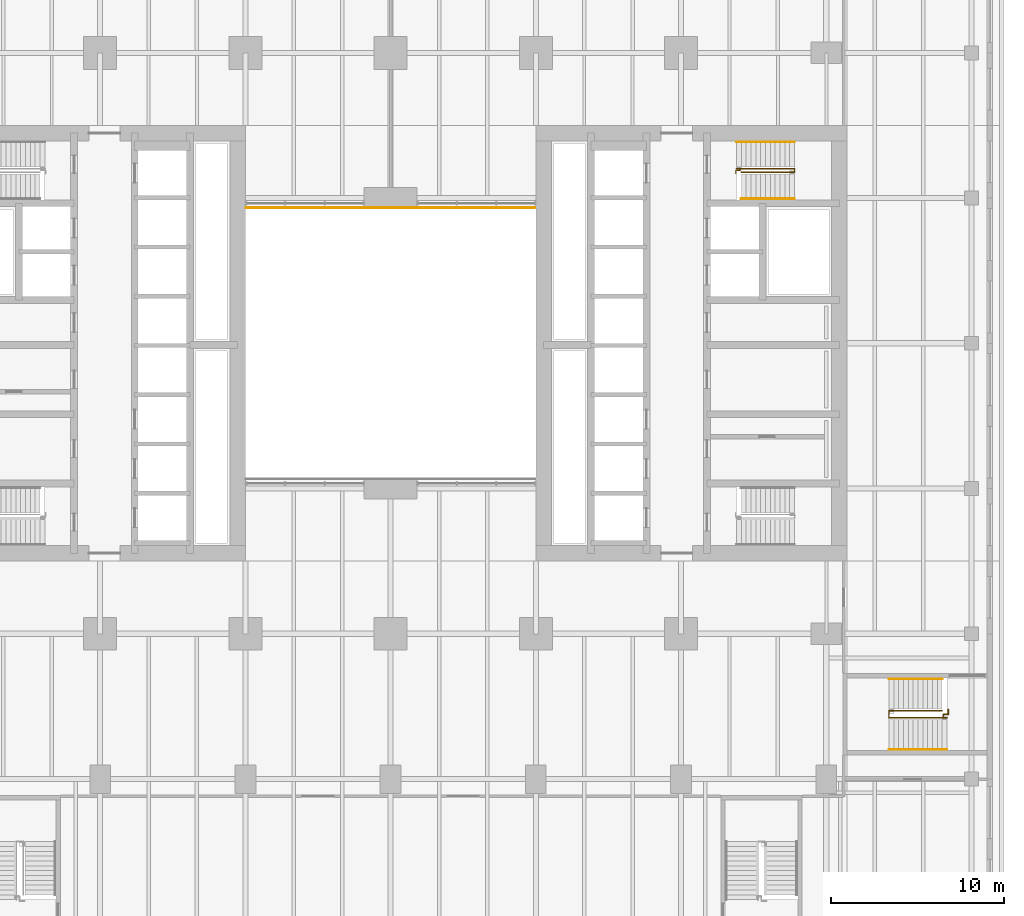
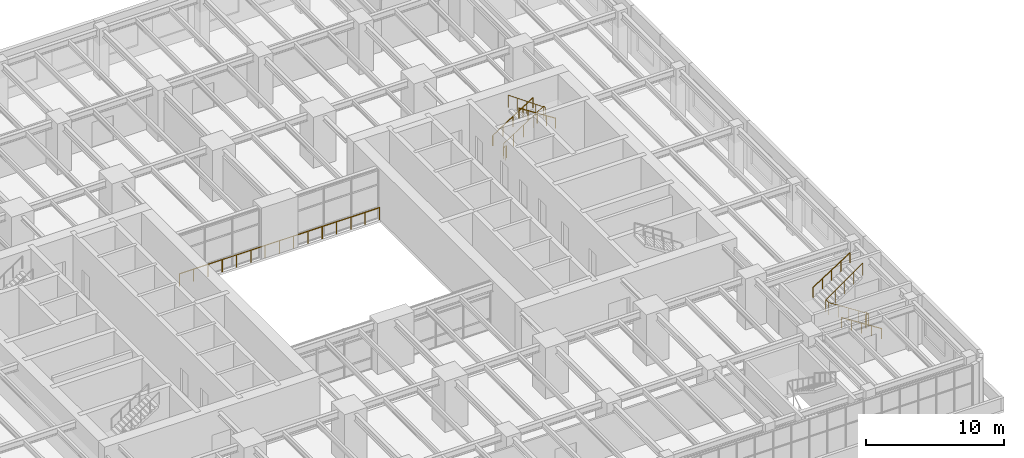
# One storey, part 26 of 30: 9 railings.
"""IFC4 building model written with IfcOpenShell, lengths in metres."""

from ifc_helpers import new_model, si_unit, direction, frame, origin, origin_2d, place, context, subcontext, project, spatial, circle, extrude, material, type_object, element, save


model = new_model("IFC4")

# Units and contexts
model_context = context("Model", 3, precision=1e-05, world=origin(), true_north=direction((0.0, 1.0)))
body_context = subcontext(model_context, "Body", "Model", "MODEL_VIEW")
ifc_project = project(units=[si_unit("LENGTHUNIT", "METRE"), si_unit("AREAUNIT", "SQUARE_METRE"), si_unit("VOLUMEUNIT", "CUBIC_METRE"), si_unit("PLANEANGLEUNIT", "RADIAN"), si_unit("MASSUNIT", "GRAM", prefix="KILO")], contexts=[model_context])

# Site, building, storey
site_placement = place(None, origin())
site = spatial("IfcSite", under=ifc_project, at=site_placement, CompositionType="ELEMENT")
building_placement = place(site_placement, origin())
building = spatial("IfcBuilding", under=site, at=building_placement, Name="Claustro Exchange Tower", CompositionType="ELEMENT")
storey_placement = place(building_placement, frame((0.0, 0.0, 5.39990234375)))
storey = spatial("IfcBuildingStorey", under=building, at=storey_placement, Name="L01", CompositionType="ELEMENT", Elevation=5.39990234375)

# Railings
ifc_material_1 = material(Name="Laminated glass, stainless steel rail", Category="steel")
railing_type_1 = type_object("IfcRailingType", Name="GR1 1100 glass balustrade guard", PredefinedType="BALUSTRADE", material=ifc_material_1)
railing_1_placement = place(storey_placement, frame((16.85009765625, 33.050048828125, 0.0)))
element("IfcRailing", 1, at=railing_1_placement, inside=storey, type_object=railing_type_1, Name="Atrium guard GR1 L01", PredefinedType="BALUSTRADE", context=body_context, shape_type="SweptSolid", body=[
    extrude(circle(Radius=0.02392578125, at=origin_2d()), frame((0.0, 0.0, 1.076171875), z_axis=(1.0, 0.0, 0.0), x_axis=(0.0, 1.0, 0.0)), (0.0, 0.0, 1.0), 16.699951171875),
    extrude(circle(Radius=0.02099609375, at=origin_2d()), origin(), (0.0, 0.0, 1.0), 1.052001953125),
    extrude(circle(Radius=0.02099609375, at=origin_2d()), frame((1.19287109375, 0.0, 0.0)), (0.0, 0.0, 1.0), 1.052001953125),
    extrude(circle(Radius=0.02099609375, at=origin_2d()), frame((2.3857421875, 0.0, 0.0)), (0.0, 0.0, 1.0), 1.052001953125),
    extrude(circle(Radius=0.02099609375, at=origin_2d()), frame((3.57861328125, 0.0, 0.0)), (0.0, 0.0, 1.0), 1.052001953125),
    extrude(circle(Radius=0.02099609375, at=origin_2d()), frame((4.771484375, 0.0, 0.0)), (0.0, 0.0, 1.0), 1.052001953125),
    extrude(circle(Radius=0.02099609375, at=origin_2d()), frame((5.96435546875, 0.0, 0.0)), (0.0, 0.0, 1.0), 1.052001953125),
    extrude(circle(Radius=0.02099609375, at=origin_2d()), frame((7.1572265625, 0.0, 0.0)), (0.0, 0.0, 1.0), 1.052001953125),
    extrude(circle(Radius=0.02099609375, at=origin_2d()), frame((8.35009765625, 0.0, 0.0)), (0.0, 0.0, 1.0), 1.052001953125),
    extrude(circle(Radius=0.02099609375, at=origin_2d()), frame((9.542724609375, 0.0, 0.0)), (0.0, 0.0, 1.0), 1.052001953125),
    extrude(circle(Radius=0.02099609375, at=origin_2d()), frame((10.735595703125, 0.0, 0.0)), (0.0, 0.0, 1.0), 1.052001953125),
    extrude(circle(Radius=0.02099609375, at=origin_2d()), frame((11.928466796875, 0.0, 0.0)), (0.0, 0.0, 1.0), 1.052001953125),
    extrude(circle(Radius=0.02099609375, at=origin_2d()), frame((13.121337890625, 0.0, 0.0)), (0.0, 0.0, 1.0), 1.052001953125),
    extrude(circle(Radius=0.02099609375, at=origin_2d()), frame((14.314208984375, 0.0, 0.0)), (0.0, 0.0, 1.0), 1.052001953125),
    extrude(circle(Radius=0.02099609375, at=origin_2d()), frame((15.507080078125, 0.0, 0.0)), (0.0, 0.0, 1.0), 1.052001953125),
    extrude(circle(Radius=0.02099609375, at=origin_2d()), frame((16.699951171875, 0.0, 0.0)), (0.0, 0.0, 1.0), 1.052001953125),
])
ifc_material_2 = material(Name="Steel balustrade, painted", Category="steel")
railing_type_2 = type_object("IfcRailingType", Name="GR2 1100 steel stair guard", PredefinedType="GUARDRAIL", material=ifc_material_2)
railing_2_placement = place(storey_placement, frame((45.199951171875, 35.300048828125, 0.18017578125)))
element("IfcRailing", 2, at=railing_2_placement, inside=storey, type_object=railing_type_2, Name="Stair well guard GR2 stair STEB L01", PredefinedType="GUARDRAIL", context=body_context, shape_type="SweptSolid", body=[
    extrude(circle(Radius=0.02392578125, at=origin_2d()), frame((0.0, 0.0, 1.076171875), z_axis=(0.84119634759, 0.0, 0.540729789082), x_axis=(0.0, 1.0, 0.0)), (0.0, 0.0, 1.0), 3.994384765625),
    extrude(circle(Radius=0.02392578125, at=origin_2d()), frame((3.360107421875, 0.0, 3.23583984375), z_axis=(0.0, -1.0, 0.0), x_axis=(1.0, 0.0, 0.0)), (0.0, 0.0, 1.0), 0.199951171875),
    extrude(circle(Radius=0.02392578125, at=origin_2d()), frame((3.360107421875, -0.199951171875, 3.23583984375), z_axis=(-0.8187499073, 0.0, 0.574150319426), x_axis=(0.0, -1.0, 0.0)), (0.0, 0.0, 1.0), 3.761962890625),
    extrude(circle(Radius=0.02099609375, at=origin_2d()), origin(), (0.0, 0.0, 1.0), 1.052001953125),
    extrude(circle(Radius=0.02099609375, at=origin_2d()), frame((0.840087890625, 0.0, 0.5400390625)), (0.0, 0.0, 1.0), 1.052001953125),
    extrude(circle(Radius=0.02099609375, at=origin_2d()), frame((1.68017578125, 0.0, 1.080078125)), (0.0, 0.0, 1.0), 1.052001953125),
    extrude(circle(Radius=0.02099609375, at=origin_2d()), frame((2.52001953125, 0.0, 1.619873046875)), (0.0, 0.0, 1.0), 1.052001953125),
    extrude(circle(Radius=0.02099609375, at=origin_2d()), frame((3.360107421875, 0.0, 2.159912109375)), (0.0, 0.0, 1.0), 1.052001953125),
    extrude(circle(Radius=0.02099609375, at=origin_2d()), frame((3.360107421875, -0.199951171875, 2.159912109375)), (0.0, 0.0, 1.0), 1.052001953125),
    extrude(circle(Radius=0.02099609375, at=origin_2d()), frame((2.590087890625, -0.199951171875, 2.699951171875)), (0.0, 0.0, 1.0), 1.052001953125),
    extrude(circle(Radius=0.02099609375, at=origin_2d()), frame((1.820068359375, -0.199951171875, 3.23974609375)), (0.0, 0.0, 1.0), 1.052001953125),
    extrude(circle(Radius=0.02099609375, at=origin_2d()), frame((1.050048828125, -0.199951171875, 3.77978515625)), (0.0, 0.0, 1.0), 1.052001953125),
    extrude(circle(Radius=0.02099609375, at=origin_2d()), frame((0.280029296875, -0.199951171875, 4.31982421875)), (0.0, 0.0, 1.0), 1.052001953125),
])
railing_3_placement = place(storey_placement, frame((45.39990234375, 35.22998046875, 0.0)))
element("IfcRailing", 3, at=railing_3_placement, inside=storey, type_object=railing_type_2, Name="Stair guard GR2 STEB L01", PredefinedType="GUARDRAIL", context=body_context, shape_type="SweptSolid", body=[
    extrude(circle(Radius=0.02392578125, at=origin_2d()), frame((0.0, 0.0, 1.076171875), z_axis=(0.0, -1.0, 0.0), x_axis=(1.0, 0.0, 0.0)), (0.0, 0.0, 1.0), 0.030029296875),
    extrude(circle(Radius=0.02392578125, at=origin_2d()), frame((0.0, -0.030029296875, 1.076171875), z_axis=(-1.0, 0.0, 0.0), x_axis=(0.0, -1.0, 0.0)), (0.0, 0.0, 1.0), 0.224853515625),
    extrude(circle(Radius=0.02392578125, at=origin_2d()), frame((-0.224853515625, -0.030029296875, 1.076171875), z_axis=(0.0, -1.0, 0.0), x_axis=(1.0, 0.0, 0.0)), (0.0, 0.0, 1.0), 0.179931640625),
    extrude(circle(Radius=0.02099609375, at=origin_2d()), origin(), (0.0, 0.0, 1.0), 1.052001953125),
    extrude(circle(Radius=0.02099609375, at=origin_2d()), frame((0.0, -0.030029296875, 0.0)), (0.0, 0.0, 1.0), 1.052001953125),
    extrude(circle(Radius=0.02099609375, at=origin_2d()), frame((-0.224853515625, -0.030029296875, 0.0)), (0.0, 0.0, 1.0), 1.052001953125),
    extrude(circle(Radius=0.02099609375, at=origin_2d()), frame((-0.224853515625, -0.2099609375, 0.0)), (0.0, 0.0, 1.0), 1.052001953125),
])
railing_4_placement = place(storey_placement, frame((57.3798828125, 3.550048828125, 0.18017578125)))
element("IfcRailing", 4, at=railing_4_placement, inside=storey, type_object=railing_type_2, Name="Stair well guard GR2 stair STP6 L01", PredefinedType="GUARDRAIL", context=body_context, shape_type="SweptSolid", body=[
    extrude(circle(Radius=0.02392578125, at=origin_2d()), frame((0.0, 0.0, 1.076171875), z_axis=(-0.841178475377, 0.0, 0.540757591313), x_axis=(0.0, -1.0, 0.0)), (0.0, 0.0, 1.0), 3.994140625),
    extrude(circle(Radius=0.02392578125, at=origin_2d()), frame((-3.35986328125, 0.0, 3.23583984375), z_axis=(0.0, 1.0, 0.0), x_axis=(-1.0, 0.0, 0.0)), (0.0, 0.0, 1.0), 0.39990234375),
    extrude(circle(Radius=0.02392578125, at=origin_2d()), frame((-3.35986328125, 0.39990234375, 3.23583984375), z_axis=(0.8187499073, 0.0, 0.574150319426), x_axis=(0.0, 1.0, 0.0)), (0.0, 0.0, 1.0), 3.761962890625),
    extrude(circle(Radius=0.02099609375, at=origin_2d()), origin(), (0.0, 0.0, 1.0), 1.052001953125),
    extrude(circle(Radius=0.02099609375, at=origin_2d()), frame((-0.83984375, 0.0, 0.5400390625)), (0.0, 0.0, 1.0), 1.052001953125),
    extrude(circle(Radius=0.02099609375, at=origin_2d()), frame((-1.679931640625, 0.0, 1.080078125)), (0.0, 0.0, 1.0), 1.052001953125),
    extrude(circle(Radius=0.02099609375, at=origin_2d()), frame((-2.52001953125, 0.0, 1.619873046875)), (0.0, 0.0, 1.0), 1.052001953125),
    extrude(circle(Radius=0.02099609375, at=origin_2d()), frame((-3.35986328125, 0.0, 2.159912109375)), (0.0, 0.0, 1.0), 1.052001953125),
    extrude(circle(Radius=0.02099609375, at=origin_2d()), frame((-3.35986328125, 0.39990234375, 2.159912109375)), (0.0, 0.0, 1.0), 1.052001953125),
    extrude(circle(Radius=0.02099609375, at=origin_2d()), frame((-2.58984375, 0.39990234375, 2.699951171875)), (0.0, 0.0, 1.0), 1.052001953125),
    extrude(circle(Radius=0.02099609375, at=origin_2d()), frame((-1.81982421875, 0.39990234375, 3.23974609375)), (0.0, 0.0, 1.0), 1.052001953125),
    extrude(circle(Radius=0.02099609375, at=origin_2d()), frame((-1.0498046875, 0.39990234375, 3.77978515625)), (0.0, 0.0, 1.0), 1.052001953125),
    extrude(circle(Radius=0.02099609375, at=origin_2d()), frame((-0.27978515625, 0.39990234375, 4.31982421875)), (0.0, 0.0, 1.0), 1.052001953125),
])
railing_5_placement = place(storey_placement, frame((57.179931640625, 3.6201171875, 0.0)))
element("IfcRailing", 5, at=railing_5_placement, inside=storey, type_object=railing_type_2, Name="Stair guard GR2 STP6 L01", PredefinedType="GUARDRAIL", context=body_context, shape_type="SweptSolid", body=[
    extrude(circle(Radius=0.02392578125, at=origin_2d()), frame((0.0, 0.0, 1.076171875), z_axis=(0.0, 1.0, 0.0), x_axis=(-1.0, 0.0, 0.0)), (0.0, 0.0, 1.0), 0.1298828125),
    extrude(circle(Radius=0.02392578125, at=origin_2d()), frame((0.0, 0.1298828125, 1.076171875), z_axis=(1.0, 0.0, 0.0), x_axis=(0.0, 1.0, 0.0)), (0.0, 0.0, 1.0), 0.275146484375),
    extrude(circle(Radius=0.02392578125, at=origin_2d()), frame((0.275146484375, 0.1298828125, 1.076171875), z_axis=(0.0, 1.0, 0.0), x_axis=(-1.0, 0.0, 0.0)), (0.0, 0.0, 1.0), 0.280029296875),
    extrude(circle(Radius=0.02099609375, at=origin_2d()), origin(), (0.0, 0.0, 1.0), 1.052001953125),
    extrude(circle(Radius=0.02099609375, at=origin_2d()), frame((0.0, 0.1298828125, 0.0)), (0.0, 0.0, 1.0), 1.052001953125),
    extrude(circle(Radius=0.02099609375, at=origin_2d()), frame((0.275146484375, 0.1298828125, 0.0)), (0.0, 0.0, 1.0), 1.052001953125),
    extrude(circle(Radius=0.02099609375, at=origin_2d()), frame((0.275146484375, 0.409912109375, 0.0)), (0.0, 0.0, 1.0), 1.052001953125),
])
ifc_material_3 = material(Name="Stainless steel tube", Category="steel")
railing_type_3 = type_object("IfcRailingType", Name="HR1 900 stair handrail", PredefinedType="HANDRAIL", material=ifc_material_3)
railing_6_placement = place(storey_placement, frame((45.199951171875, 36.840087890625, 0.18017578125)))
element("IfcRailing", 6, at=railing_6_placement, inside=storey, type_object=railing_type_3, Name="Handrail HR1 stair STEB L01", PredefinedType="HANDRAIL", context=body_context, shape_type="SweptSolid", body=[
    extrude(circle(Radius=0.02392578125, at=origin_2d()), frame((0.0, 0.0, 0.8759765625), z_axis=(0.84119634759, 0.0, 0.540729789082), x_axis=(0.0, 1.0, 0.0)), (0.0, 0.0, 1.0), 3.994384765625),
    extrude(circle(Radius=0.02099609375, at=origin_2d()), origin(), (0.0, 0.0, 1.0), 0.851806640625),
    extrude(circle(Radius=0.02099609375, at=origin_2d()), frame((0.840087890625, 0.0, 0.5400390625)), (0.0, 0.0, 1.0), 0.851806640625),
    extrude(circle(Radius=0.02099609375, at=origin_2d()), frame((1.68017578125, 0.0, 1.080078125)), (0.0, 0.0, 1.0), 0.851806640625),
    extrude(circle(Radius=0.02099609375, at=origin_2d()), frame((2.52001953125, 0.0, 1.619873046875)), (0.0, 0.0, 1.0), 0.851806640625),
    extrude(circle(Radius=0.02099609375, at=origin_2d()), frame((3.360107421875, 0.0, 2.159912109375)), (0.0, 0.0, 1.0), 0.851806640625),
])
railing_7_placement = place(storey_placement, frame((48.56005859375, 33.56005859375, 2.52001953125)))
element("IfcRailing", 7, at=railing_7_placement, inside=storey, type_object=railing_type_3, Name="Handrail HR1 stair STEB L01", PredefinedType="HANDRAIL", context=body_context, shape_type="SweptSolid", body=[
    extrude(circle(Radius=0.02392578125, at=origin_2d()), frame((0.0, 0.0, 0.8759765625), z_axis=(-0.84118714077, 0.0, 0.540744111576), x_axis=(0.0, -1.0, 0.0)), (0.0, 0.0, 1.0), 3.66162109375),
    extrude(circle(Radius=0.02099609375, at=origin_2d()), origin(), (0.0, 0.0, 1.0), 0.851806640625),
    extrude(circle(Radius=0.02099609375, at=origin_2d()), frame((-0.77001953125, 0.0, 0.4951171875)), (0.0, 0.0, 1.0), 0.851806640625),
    extrude(circle(Radius=0.02099609375, at=origin_2d()), frame((-1.5400390625, 0.0, 0.989990234375)), (0.0, 0.0, 1.0), 0.851806640625),
    extrude(circle(Radius=0.02099609375, at=origin_2d()), frame((-2.31005859375, 0.0, 1.48486328125)), (0.0, 0.0, 1.0), 0.851806640625),
    extrude(circle(Radius=0.02099609375, at=origin_2d()), frame((-3.080078125, 0.0, 1.97998046875)), (0.0, 0.0, 1.0), 0.851806640625),
])
railing_8_placement = place(storey_placement, frame((57.3798828125, 1.7099609375, 0.18017578125)))
element("IfcRailing", 8, at=railing_8_placement, inside=storey, type_object=railing_type_3, Name="Handrail HR1 stair STP6 L01", PredefinedType="HANDRAIL", context=body_context, shape_type="SweptSolid", body=[
    extrude(circle(Radius=0.02392578125, at=origin_2d()), frame((0.0, 0.0, 0.8759765625), z_axis=(-0.841178475377, 0.0, 0.540757591313), x_axis=(0.0, -1.0, 0.0)), (0.0, 0.0, 1.0), 3.994140625),
    extrude(circle(Radius=0.02099609375, at=origin_2d()), origin(), (0.0, 0.0, 1.0), 0.851806640625),
    extrude(circle(Radius=0.02099609375, at=origin_2d()), frame((-0.83984375, 0.0, 0.5400390625)), (0.0, 0.0, 1.0), 0.851806640625),
    extrude(circle(Radius=0.02099609375, at=origin_2d()), frame((-1.679931640625, 0.0, 1.080078125)), (0.0, 0.0, 1.0), 0.851806640625),
    extrude(circle(Radius=0.02099609375, at=origin_2d()), frame((-2.52001953125, 0.0, 1.619873046875)), (0.0, 0.0, 1.0), 0.851806640625),
    extrude(circle(Radius=0.02099609375, at=origin_2d()), frame((-3.35986328125, 0.0, 2.159912109375)), (0.0, 0.0, 1.0), 0.851806640625),
])
railing_9_placement = place(storey_placement, frame((54.02001953125, 5.7900390625, 2.52001953125)))
element("IfcRailing", 9, at=railing_9_placement, inside=storey, type_object=railing_type_3, Name="Handrail HR1 stair STP6 L01", PredefinedType="HANDRAIL", context=body_context, shape_type="SweptSolid", body=[
    extrude(circle(Radius=0.02392578125, at=origin_2d()), frame((0.0, 0.0, 0.8759765625), z_axis=(0.84118714077, 0.0, 0.540744111576), x_axis=(0.0, 1.0, 0.0)), (0.0, 0.0, 1.0), 3.66162109375),
    extrude(circle(Radius=0.02099609375, at=origin_2d()), origin(), (0.0, 0.0, 1.0), 0.851806640625),
    extrude(circle(Radius=0.02099609375, at=origin_2d()), frame((0.77001953125, 0.0, 0.4951171875)), (0.0, 0.0, 1.0), 0.851806640625),
    extrude(circle(Radius=0.02099609375, at=origin_2d()), frame((1.5400390625, 0.0, 0.989990234375)), (0.0, 0.0, 1.0), 0.851806640625),
    extrude(circle(Radius=0.02099609375, at=origin_2d()), frame((2.31005859375, 0.0, 1.48486328125)), (0.0, 0.0, 1.0), 0.851806640625),
    extrude(circle(Radius=0.02099609375, at=origin_2d()), frame((3.080078125, 0.0, 1.97998046875)), (0.0, 0.0, 1.0), 0.851806640625),
])

save(model, "model.ifc")
